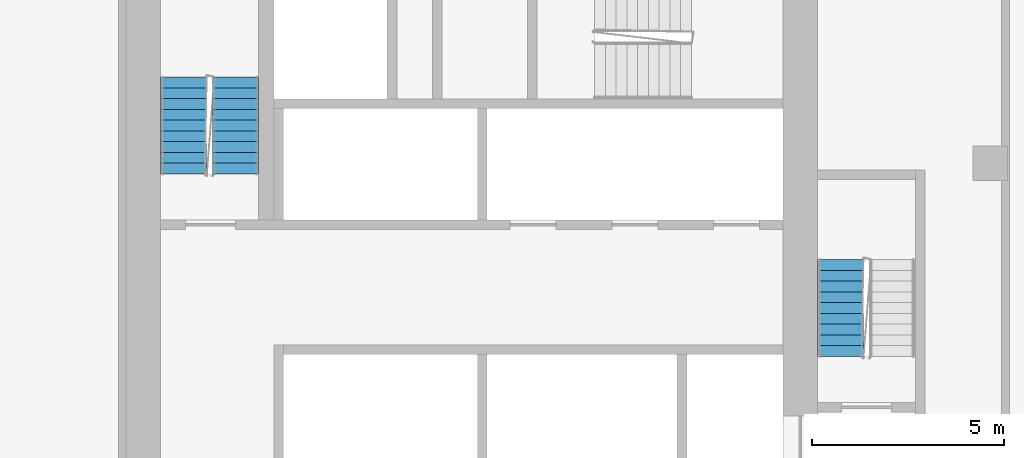
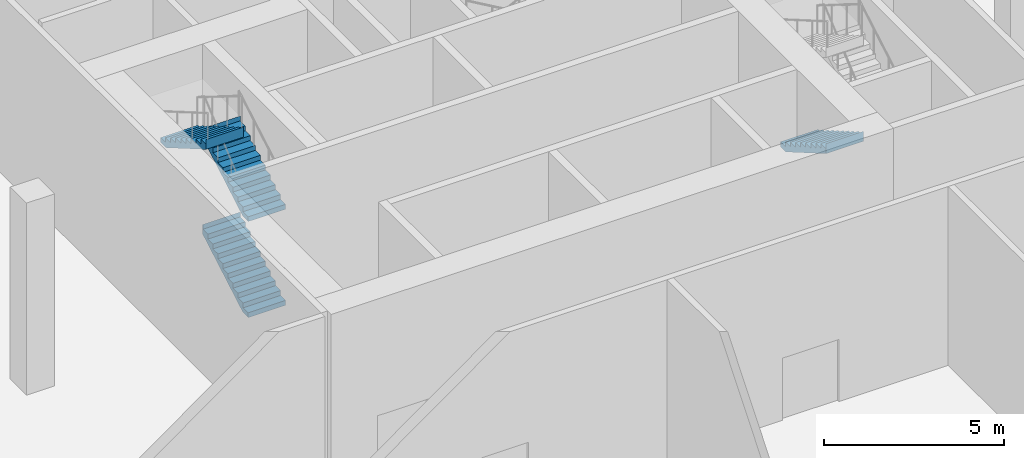
# One storey, part 18 of 24: 4 stair flights, 2 elements without a shape of their own.
"""IFC4 building model written with IfcOpenShell, lengths in metres."""

from ifc_helpers import new_model, si_unit, direction, frame, origin, place, context, subcontext, project, spatial, faceted_brep, material, type_object, element, aggregate, save


model = new_model("IFC4")

# Units and contexts
model_context = context("Model", 3, precision=1e-05, world=origin(), true_north=direction((0.0, 1.0)))
body_context = subcontext(model_context, "Body", "Model", "MODEL_VIEW")
ifc_project = project(units=[si_unit("LENGTHUNIT", "METRE"), si_unit("AREAUNIT", "SQUARE_METRE"), si_unit("VOLUMEUNIT", "CUBIC_METRE"), si_unit("PLANEANGLEUNIT", "RADIAN"), si_unit("MASSUNIT", "GRAM", prefix="KILO")], contexts=[model_context])

# Site, building, storey
site_placement = place(None, origin())
site = spatial("IfcSite", under=ifc_project, at=site_placement, CompositionType="ELEMENT")
building_placement = place(site_placement, origin())
building = spatial("IfcBuilding", under=site, at=building_placement, Name="Kajstack Hotel Tower", CompositionType="ELEMENT")
storey_placement = place(building_placement, frame((0.0, 0.0, 17.0)))
storey = spatial("IfcBuildingStorey", under=building, at=storey_placement, Name="L02", CompositionType="ELEMENT", Elevation=17.0)

# Stair, stair flight
ifc_material = material(Name="Concrete C40/50", Category="concrete")
stair_type = type_object("IfcStairType", Name="Exit stair 1200", PredefinedType="HALF_TURN_STAIR", material=ifc_material)
stair_1_placement = place(storey_placement, origin())
stair_1 = element("IfcStair", 1, at=stair_1_placement, inside=storey, type_object=stair_type, Name="L02 stair E1", PredefinedType="HALF_TURN_STAIR")
stair_flight_type = type_object("IfcStairFlightType", Name="Exit stair flight 1200", PredefinedType="STRAIGHT", material=ifc_material)
stair_flight_1_placement = place(storey_placement, frame((32.10009765625, 7.77001953125, 1.625), z_axis=(0.0, 0.0, 1.0), x_axis=(0.0, -1.0, 0.0)))
stair_flight_1 = element("IfcStairFlight", 2, at=stair_flight_1_placement, type_object=stair_flight_type, Name="E1 flight 2", NumberOfRisers=10, NumberOfTreads=9, PredefinedType="STRAIGHT", RiserHeight=0.1625, TreadLength=0.28, context=body_context, shape_type="Brep", body=[
    faceted_brep([(0.299072265625, -0.60009765625, 0.0), (2.5205078125, -0.60009765625, 1.2890625), (2.5205078125, -0.60009765625, 1.625), (2.52001953125, -0.60009765625, 1.625), (2.52001953125, -0.60009765625, 1.46240234375), (2.239990234375, -0.60009765625, 1.46240234375), (2.239990234375, -0.60009765625, 1.300048828125), (1.9599609375, -0.60009765625, 1.300048828125), (1.9599609375, -0.60009765625, 1.137451171875), (1.679931640625, -0.60009765625, 1.137451171875), (1.679931640625, -0.60009765625, 0.97509765625), (1.39990234375, -0.60009765625, 0.97509765625), (1.39990234375, -0.60009765625, 0.8125), (1.1201171875, -0.60009765625, 0.8125), (1.1201171875, -0.60009765625, 0.64990234375), (0.840087890625, -0.60009765625, 0.64990234375), (0.840087890625, -0.60009765625, 0.487548828125), (0.56005859375, -0.60009765625, 0.487548828125), (0.56005859375, -0.60009765625, 0.324951171875), (0.280029296875, -0.60009765625, 0.324951171875), (0.280029296875, -0.60009765625, 0.16259765625), (-0.00048828125, -0.60009765625, 0.16259765625), (-0.00048828125, -0.60009765625, 0.0), (-0.00048828125, 0.60009765625, 0.0), (-0.00048828125, 0.60009765625, 0.16259765625), (0.280029296875, 0.60009765625, 0.16259765625), (0.280029296875, 0.60009765625, 0.324951171875), (0.56005859375, 0.60009765625, 0.324951171875), (0.56005859375, 0.60009765625, 0.487548828125), (0.840087890625, 0.60009765625, 0.487548828125), (0.840087890625, 0.60009765625, 0.64990234375), (1.1201171875, 0.60009765625, 0.64990234375), (1.1201171875, 0.60009765625, 0.8125), (1.39990234375, 0.60009765625, 0.8125), (1.39990234375, 0.60009765625, 0.97509765625), (1.679931640625, 0.60009765625, 0.97509765625), (1.679931640625, 0.60009765625, 1.137451171875), (1.9599609375, 0.60009765625, 1.137451171875), (1.9599609375, 0.60009765625, 1.300048828125), (2.239990234375, 0.60009765625, 1.300048828125), (2.239990234375, 0.60009765625, 1.46240234375), (2.52001953125, 0.60009765625, 1.46240234375), (2.52001953125, 0.60009765625, 1.625), (2.5205078125, 0.60009765625, 1.625), (2.5205078125, 0.60009765625, 1.2890625), (0.299072265625, 0.60009765625, 0.0), (-0.00048828125, -0.300048828125, 0.16259765625), (-0.00048828125, 0.0, 0.16259765625), (-0.00048828125, 0.300048828125, 0.16259765625), (-0.00048828125, 0.300048828125, 0.0), (-0.00048828125, 0.0, 0.0), (-0.00048828125, -0.300048828125, 0.0), (0.280029296875, -0.300048828125, 0.16259765625), (0.280029296875, 0.0, 0.16259765625), (0.280029296875, 0.300048828125, 0.16259765625), (0.280029296875, -0.300048828125, 0.324951171875), (0.280029296875, 0.0, 0.324951171875), (0.280029296875, 0.300048828125, 0.324951171875), (0.56005859375, -0.300048828125, 0.324951171875), (0.56005859375, 0.0, 0.324951171875), (0.56005859375, 0.300048828125, 0.324951171875), (0.56005859375, -0.300048828125, 0.487548828125), (0.56005859375, 0.0, 0.487548828125), (0.56005859375, 0.300048828125, 0.487548828125), (0.840087890625, -0.300048828125, 0.487548828125), (0.840087890625, 0.0, 0.487548828125), (0.840087890625, 0.300048828125, 0.487548828125), (0.840087890625, -0.300048828125, 0.64990234375), (0.840087890625, 0.0, 0.64990234375), (0.840087890625, 0.300048828125, 0.64990234375), (1.1201171875, -0.300048828125, 0.64990234375), (1.1201171875, 0.0, 0.64990234375), (1.1201171875, 0.300048828125, 0.64990234375), (1.1201171875, -0.300048828125, 0.8125), (1.1201171875, 0.0, 0.8125), (1.1201171875, 0.300048828125, 0.8125), (1.39990234375, -0.300048828125, 0.8125), (1.39990234375, 0.0, 0.8125), (1.39990234375, 0.300048828125, 0.8125), (1.39990234375, -0.300048828125, 0.97509765625), (1.39990234375, 0.0, 0.97509765625), (1.39990234375, 0.300048828125, 0.97509765625), (1.679931640625, -0.300048828125, 0.97509765625), (1.679931640625, 0.0, 0.97509765625), (1.679931640625, 0.300048828125, 0.97509765625), (1.679931640625, -0.300048828125, 1.137451171875), (1.679931640625, 0.0, 1.137451171875), (1.679931640625, 0.300048828125, 1.137451171875), (1.9599609375, -0.300048828125, 1.137451171875), (1.9599609375, 0.0, 1.137451171875), (1.9599609375, 0.300048828125, 1.137451171875), (1.9599609375, -0.300048828125, 1.300048828125), (1.9599609375, 0.0, 1.300048828125), (1.9599609375, 0.300048828125, 1.300048828125), (2.239990234375, -0.300048828125, 1.300048828125), (2.239990234375, 0.0, 1.300048828125), (2.239990234375, 0.300048828125, 1.300048828125), (2.239990234375, -0.300048828125, 1.46240234375), (2.239990234375, 0.0, 1.46240234375), (2.239990234375, 0.300048828125, 1.46240234375), (2.52001953125, -0.300048828125, 1.46240234375), (2.52001953125, 0.0, 1.46240234375), (2.52001953125, 0.300048828125, 1.46240234375), (2.52001953125, -0.300048828125, 1.625), (2.52001953125, 0.0, 1.625), (2.52001953125, 0.300048828125, 1.625), (2.5205078125, -0.300048828125, 1.625), (2.5205078125, 0.0, 1.625), (2.5205078125, 0.300048828125, 1.625), (2.5205078125, -0.300048828125, 1.2890625), (2.5205078125, 0.0, 1.2890625), (2.5205078125, 0.300048828125, 1.2890625), (0.299072265625, -0.300048828125, 0.0), (0.299072265625, 0.0, 0.0), (0.299072265625, 0.300048828125, 0.0)], [[[0, 1, 2, 3, 4, 5, 6, 7, 8, 9, 10, 11, 12, 13, 14, 15, 16, 17, 18, 19, 20, 21, 22]], [[23, 24, 25, 26, 27, 28, 29, 30, 31, 32, 33, 34, 35, 36, 37, 38, 39, 40, 41, 42, 43, 44, 45]], [[21, 46, 47, 48, 24, 23, 49, 50, 51, 22]], [[20, 52, 53, 54, 25, 24, 48, 47, 46, 21]], [[19, 55, 56, 57, 26, 25, 54, 53, 52, 20]], [[18, 58, 59, 60, 27, 26, 57, 56, 55, 19]], [[17, 61, 62, 63, 28, 27, 60, 59, 58, 18]], [[16, 64, 65, 66, 29, 28, 63, 62, 61, 17]], [[15, 67, 68, 69, 30, 29, 66, 65, 64, 16]], [[14, 70, 71, 72, 31, 30, 69, 68, 67, 15]], [[13, 73, 74, 75, 32, 31, 72, 71, 70, 14]], [[12, 76, 77, 78, 33, 32, 75, 74, 73, 13]], [[11, 79, 80, 81, 34, 33, 78, 77, 76, 12]], [[10, 82, 83, 84, 35, 34, 81, 80, 79, 11]], [[9, 85, 86, 87, 36, 35, 84, 83, 82, 10]], [[8, 88, 89, 90, 37, 36, 87, 86, 85, 9]], [[7, 91, 92, 93, 38, 37, 90, 89, 88, 8]], [[6, 94, 95, 96, 39, 38, 93, 92, 91, 7]], [[5, 97, 98, 99, 40, 39, 96, 95, 94, 6]], [[4, 100, 101, 102, 41, 40, 99, 98, 97, 5]], [[3, 103, 104, 105, 42, 41, 102, 101, 100, 4]], [[2, 106, 107, 108, 43, 42, 105, 104, 103, 3]], [[1, 109, 110, 111, 44, 43, 108, 107, 106, 2]], [[0, 112, 113, 114, 45, 44, 111, 110, 109, 1]], [[22, 51, 50, 49, 23, 45, 114, 113, 112, 0]]]),
])
aggregate(stair_1, [stair_flight_1])

# Stair, stair flights
stair_2_placement = place(storey_placement, origin())
stair_2 = element("IfcStair", 3, at=stair_2_placement, inside=storey, type_object=stair_type, Name="L02 stair E2", PredefinedType="HALF_TURN_STAIR")
stair_flight_2_placement = place(storey_placement, frame((16.35009765625, 10.0, 0.0), z_axis=(0.0, 0.0, 1.0), x_axis=(0.0, 1.0, 0.0)))
stair_flight_2 = element("IfcStairFlight", 4, at=stair_flight_2_placement, type_object=stair_flight_type, Name="E2 flight 1", NumberOfRisers=10, NumberOfTreads=9, PredefinedType="STRAIGHT", RiserHeight=0.1625, TreadLength=0.28, context=body_context, shape_type="Brep", body=[
    faceted_brep([(0.299072265625, -0.60009765625, 0.0), (2.5205078125, -0.60009765625, 1.2890625), (2.5205078125, -0.60009765625, 1.625), (2.52001953125, -0.60009765625, 1.625), (2.52001953125, -0.60009765625, 1.46240234375), (2.239990234375, -0.60009765625, 1.46240234375), (2.239990234375, -0.60009765625, 1.300048828125), (1.9599609375, -0.60009765625, 1.300048828125), (1.9599609375, -0.60009765625, 1.137451171875), (1.679931640625, -0.60009765625, 1.137451171875), (1.679931640625, -0.60009765625, 0.97509765625), (1.39990234375, -0.60009765625, 0.97509765625), (1.39990234375, -0.60009765625, 0.8125), (1.1201171875, -0.60009765625, 0.8125), (1.1201171875, -0.60009765625, 0.64990234375), (0.840087890625, -0.60009765625, 0.64990234375), (0.840087890625, -0.60009765625, 0.487548828125), (0.56005859375, -0.60009765625, 0.487548828125), (0.56005859375, -0.60009765625, 0.324951171875), (0.280029296875, -0.60009765625, 0.324951171875), (0.280029296875, -0.60009765625, 0.16259765625), (-0.00048828125, -0.60009765625, 0.16259765625), (-0.00048828125, -0.60009765625, 0.0), (-0.00048828125, 0.60009765625, 0.0), (-0.00048828125, 0.60009765625, 0.16259765625), (0.280029296875, 0.60009765625, 0.16259765625), (0.280029296875, 0.60009765625, 0.324951171875), (0.56005859375, 0.60009765625, 0.324951171875), (0.56005859375, 0.60009765625, 0.487548828125), (0.840087890625, 0.60009765625, 0.487548828125), (0.840087890625, 0.60009765625, 0.64990234375), (1.1201171875, 0.60009765625, 0.64990234375), (1.1201171875, 0.60009765625, 0.8125), (1.39990234375, 0.60009765625, 0.8125), (1.39990234375, 0.60009765625, 0.97509765625), (1.679931640625, 0.60009765625, 0.97509765625), (1.679931640625, 0.60009765625, 1.137451171875), (1.9599609375, 0.60009765625, 1.137451171875), (1.9599609375, 0.60009765625, 1.300048828125), (2.239990234375, 0.60009765625, 1.300048828125), (2.239990234375, 0.60009765625, 1.46240234375), (2.52001953125, 0.60009765625, 1.46240234375), (2.52001953125, 0.60009765625, 1.625), (2.5205078125, 0.60009765625, 1.625), (2.5205078125, 0.60009765625, 1.2890625), (0.299072265625, 0.60009765625, 0.0), (-0.00048828125, -0.300048828125, 0.16259765625), (-0.00048828125, 0.0, 0.16259765625), (-0.00048828125, 0.300048828125, 0.16259765625), (-0.00048828125, 0.300048828125, 0.0), (-0.00048828125, 0.0, 0.0), (-0.00048828125, -0.300048828125, 0.0), (0.280029296875, -0.300048828125, 0.16259765625), (0.280029296875, 0.0, 0.16259765625), (0.280029296875, 0.300048828125, 0.16259765625), (0.280029296875, -0.300048828125, 0.324951171875), (0.280029296875, 0.0, 0.324951171875), (0.280029296875, 0.300048828125, 0.324951171875), (0.56005859375, -0.300048828125, 0.324951171875), (0.56005859375, 0.0, 0.324951171875), (0.56005859375, 0.300048828125, 0.324951171875), (0.56005859375, -0.300048828125, 0.487548828125), (0.56005859375, 0.0, 0.487548828125), (0.56005859375, 0.300048828125, 0.487548828125), (0.840087890625, -0.300048828125, 0.487548828125), (0.840087890625, 0.0, 0.487548828125), (0.840087890625, 0.300048828125, 0.487548828125), (0.840087890625, -0.300048828125, 0.64990234375), (0.840087890625, 0.0, 0.64990234375), (0.840087890625, 0.300048828125, 0.64990234375), (1.1201171875, -0.300048828125, 0.64990234375), (1.1201171875, 0.0, 0.64990234375), (1.1201171875, 0.300048828125, 0.64990234375), (1.1201171875, -0.300048828125, 0.8125), (1.1201171875, 0.0, 0.8125), (1.1201171875, 0.300048828125, 0.8125), (1.39990234375, -0.300048828125, 0.8125), (1.39990234375, 0.0, 0.8125), (1.39990234375, 0.300048828125, 0.8125), (1.39990234375, -0.300048828125, 0.97509765625), (1.39990234375, 0.0, 0.97509765625), (1.39990234375, 0.300048828125, 0.97509765625), (1.679931640625, -0.300048828125, 0.97509765625), (1.679931640625, 0.0, 0.97509765625), (1.679931640625, 0.300048828125, 0.97509765625), (1.679931640625, -0.300048828125, 1.137451171875), (1.679931640625, 0.0, 1.137451171875), (1.679931640625, 0.300048828125, 1.137451171875), (1.9599609375, -0.300048828125, 1.137451171875), (1.9599609375, 0.0, 1.137451171875), (1.9599609375, 0.300048828125, 1.137451171875), (1.9599609375, -0.300048828125, 1.300048828125), (1.9599609375, 0.0, 1.300048828125), (1.9599609375, 0.300048828125, 1.300048828125), (2.239990234375, -0.300048828125, 1.300048828125), (2.239990234375, 0.0, 1.300048828125), (2.239990234375, 0.300048828125, 1.300048828125), (2.239990234375, -0.300048828125, 1.46240234375), (2.239990234375, 0.0, 1.46240234375), (2.239990234375, 0.300048828125, 1.46240234375), (2.52001953125, -0.300048828125, 1.46240234375), (2.52001953125, 0.0, 1.46240234375), (2.52001953125, 0.300048828125, 1.46240234375), (2.52001953125, -0.300048828125, 1.625), (2.52001953125, 0.0, 1.625), (2.52001953125, 0.300048828125, 1.625), (2.5205078125, -0.300048828125, 1.625), (2.5205078125, 0.0, 1.625), (2.5205078125, 0.300048828125, 1.625), (2.5205078125, -0.300048828125, 1.2890625), (2.5205078125, 0.0, 1.2890625), (2.5205078125, 0.300048828125, 1.2890625), (0.299072265625, -0.300048828125, 0.0), (0.299072265625, 0.0, 0.0), (0.299072265625, 0.300048828125, 0.0)], [[[0, 1, 2, 3, 4, 5, 6, 7, 8, 9, 10, 11, 12, 13, 14, 15, 16, 17, 18, 19, 20, 21, 22]], [[23, 24, 25, 26, 27, 28, 29, 30, 31, 32, 33, 34, 35, 36, 37, 38, 39, 40, 41, 42, 43, 44, 45]], [[21, 46, 47, 48, 24, 23, 49, 50, 51, 22]], [[20, 52, 53, 54, 25, 24, 48, 47, 46, 21]], [[19, 55, 56, 57, 26, 25, 54, 53, 52, 20]], [[18, 58, 59, 60, 27, 26, 57, 56, 55, 19]], [[17, 61, 62, 63, 28, 27, 60, 59, 58, 18]], [[16, 64, 65, 66, 29, 28, 63, 62, 61, 17]], [[15, 67, 68, 69, 30, 29, 66, 65, 64, 16]], [[14, 70, 71, 72, 31, 30, 69, 68, 67, 15]], [[13, 73, 74, 75, 32, 31, 72, 71, 70, 14]], [[12, 76, 77, 78, 33, 32, 75, 74, 73, 13]], [[11, 79, 80, 81, 34, 33, 78, 77, 76, 12]], [[10, 82, 83, 84, 35, 34, 81, 80, 79, 11]], [[9, 85, 86, 87, 36, 35, 84, 83, 82, 10]], [[8, 88, 89, 90, 37, 36, 87, 86, 85, 9]], [[7, 91, 92, 93, 38, 37, 90, 89, 88, 8]], [[6, 94, 95, 96, 39, 38, 93, 92, 91, 7]], [[5, 97, 98, 99, 40, 39, 96, 95, 94, 6]], [[4, 100, 101, 102, 41, 40, 99, 98, 97, 5]], [[3, 103, 104, 105, 42, 41, 102, 101, 100, 4]], [[2, 106, 107, 108, 43, 42, 105, 104, 103, 3]], [[1, 109, 110, 111, 44, 43, 108, 107, 106, 2]], [[0, 112, 113, 114, 45, 44, 111, 110, 109, 1]], [[22, 51, 50, 49, 23, 45, 114, 113, 112, 0]]]),
])
stair_flight_3_placement = place(storey_placement, frame((16.35009765625, 10.0, 3.25), z_axis=(0.0, 0.0, 1.0), x_axis=(0.0, 1.0, 0.0)))
stair_flight_3 = element("IfcStairFlight", 5, at=stair_flight_3_placement, type_object=stair_flight_type, Name="E2 flight 3", NumberOfRisers=10, NumberOfTreads=9, PredefinedType="STRAIGHT", RiserHeight=0.1625, TreadLength=0.28, context=body_context, shape_type="Brep", body=[
    faceted_brep([(0.299072265625, -0.60009765625, 0.0), (2.5205078125, -0.60009765625, 1.2890625), (2.5205078125, -0.60009765625, 1.625), (2.52001953125, -0.60009765625, 1.625), (2.52001953125, -0.60009765625, 1.46240234375), (2.239990234375, -0.60009765625, 1.46240234375), (2.239990234375, -0.60009765625, 1.300048828125), (1.9599609375, -0.60009765625, 1.300048828125), (1.9599609375, -0.60009765625, 1.137451171875), (1.679931640625, -0.60009765625, 1.137451171875), (1.679931640625, -0.60009765625, 0.97509765625), (1.39990234375, -0.60009765625, 0.97509765625), (1.39990234375, -0.60009765625, 0.8125), (1.1201171875, -0.60009765625, 0.8125), (1.1201171875, -0.60009765625, 0.64990234375), (0.840087890625, -0.60009765625, 0.64990234375), (0.840087890625, -0.60009765625, 0.487548828125), (0.56005859375, -0.60009765625, 0.487548828125), (0.56005859375, -0.60009765625, 0.324951171875), (0.280029296875, -0.60009765625, 0.324951171875), (0.280029296875, -0.60009765625, 0.16259765625), (-0.00048828125, -0.60009765625, 0.16259765625), (-0.00048828125, -0.60009765625, 0.0), (-0.00048828125, 0.60009765625, 0.0), (-0.00048828125, 0.60009765625, 0.16259765625), (0.280029296875, 0.60009765625, 0.16259765625), (0.280029296875, 0.60009765625, 0.324951171875), (0.56005859375, 0.60009765625, 0.324951171875), (0.56005859375, 0.60009765625, 0.487548828125), (0.840087890625, 0.60009765625, 0.487548828125), (0.840087890625, 0.60009765625, 0.64990234375), (1.1201171875, 0.60009765625, 0.64990234375), (1.1201171875, 0.60009765625, 0.8125), (1.39990234375, 0.60009765625, 0.8125), (1.39990234375, 0.60009765625, 0.97509765625), (1.679931640625, 0.60009765625, 0.97509765625), (1.679931640625, 0.60009765625, 1.137451171875), (1.9599609375, 0.60009765625, 1.137451171875), (1.9599609375, 0.60009765625, 1.300048828125), (2.239990234375, 0.60009765625, 1.300048828125), (2.239990234375, 0.60009765625, 1.46240234375), (2.52001953125, 0.60009765625, 1.46240234375), (2.52001953125, 0.60009765625, 1.625), (2.5205078125, 0.60009765625, 1.625), (2.5205078125, 0.60009765625, 1.2890625), (0.299072265625, 0.60009765625, 0.0), (-0.00048828125, -0.300048828125, 0.16259765625), (-0.00048828125, 0.0, 0.16259765625), (-0.00048828125, 0.300048828125, 0.16259765625), (-0.00048828125, 0.300048828125, 0.0), (-0.00048828125, 0.0, 0.0), (-0.00048828125, -0.300048828125, 0.0), (0.280029296875, -0.300048828125, 0.16259765625), (0.280029296875, 0.0, 0.16259765625), (0.280029296875, 0.300048828125, 0.16259765625), (0.280029296875, -0.300048828125, 0.324951171875), (0.280029296875, 0.0, 0.324951171875), (0.280029296875, 0.300048828125, 0.324951171875), (0.56005859375, -0.300048828125, 0.324951171875), (0.56005859375, 0.0, 0.324951171875), (0.56005859375, 0.300048828125, 0.324951171875), (0.56005859375, -0.300048828125, 0.487548828125), (0.56005859375, 0.0, 0.487548828125), (0.56005859375, 0.300048828125, 0.487548828125), (0.840087890625, -0.300048828125, 0.487548828125), (0.840087890625, 0.0, 0.487548828125), (0.840087890625, 0.300048828125, 0.487548828125), (0.840087890625, -0.300048828125, 0.64990234375), (0.840087890625, 0.0, 0.64990234375), (0.840087890625, 0.300048828125, 0.64990234375), (1.1201171875, -0.300048828125, 0.64990234375), (1.1201171875, 0.0, 0.64990234375), (1.1201171875, 0.300048828125, 0.64990234375), (1.1201171875, -0.300048828125, 0.8125), (1.1201171875, 0.0, 0.8125), (1.1201171875, 0.300048828125, 0.8125), (1.39990234375, -0.300048828125, 0.8125), (1.39990234375, 0.0, 0.8125), (1.39990234375, 0.300048828125, 0.8125), (1.39990234375, -0.300048828125, 0.97509765625), (1.39990234375, 0.0, 0.97509765625), (1.39990234375, 0.300048828125, 0.97509765625), (1.679931640625, -0.300048828125, 0.97509765625), (1.679931640625, 0.0, 0.97509765625), (1.679931640625, 0.300048828125, 0.97509765625), (1.679931640625, -0.300048828125, 1.137451171875), (1.679931640625, 0.0, 1.137451171875), (1.679931640625, 0.300048828125, 1.137451171875), (1.9599609375, -0.300048828125, 1.137451171875), (1.9599609375, 0.0, 1.137451171875), (1.9599609375, 0.300048828125, 1.137451171875), (1.9599609375, -0.300048828125, 1.300048828125), (1.9599609375, 0.0, 1.300048828125), (1.9599609375, 0.300048828125, 1.300048828125), (2.239990234375, -0.300048828125, 1.300048828125), (2.239990234375, 0.0, 1.300048828125), (2.239990234375, 0.300048828125, 1.300048828125), (2.239990234375, -0.300048828125, 1.46240234375), (2.239990234375, 0.0, 1.46240234375), (2.239990234375, 0.300048828125, 1.46240234375), (2.52001953125, -0.300048828125, 1.46240234375), (2.52001953125, 0.0, 1.46240234375), (2.52001953125, 0.300048828125, 1.46240234375), (2.52001953125, -0.300048828125, 1.625), (2.52001953125, 0.0, 1.625), (2.52001953125, 0.300048828125, 1.625), (2.5205078125, -0.300048828125, 1.625), (2.5205078125, 0.0, 1.625), (2.5205078125, 0.300048828125, 1.625), (2.5205078125, -0.300048828125, 1.2890625), (2.5205078125, 0.0, 1.2890625), (2.5205078125, 0.300048828125, 1.2890625), (0.299072265625, -0.300048828125, 0.0), (0.299072265625, 0.0, 0.0), (0.299072265625, 0.300048828125, 0.0)], [[[0, 1, 2, 3, 4, 5, 6, 7, 8, 9, 10, 11, 12, 13, 14, 15, 16, 17, 18, 19, 20, 21, 22]], [[23, 24, 25, 26, 27, 28, 29, 30, 31, 32, 33, 34, 35, 36, 37, 38, 39, 40, 41, 42, 43, 44, 45]], [[21, 46, 47, 48, 24, 23, 49, 50, 51, 22]], [[20, 52, 53, 54, 25, 24, 48, 47, 46, 21]], [[19, 55, 56, 57, 26, 25, 54, 53, 52, 20]], [[18, 58, 59, 60, 27, 26, 57, 56, 55, 19]], [[17, 61, 62, 63, 28, 27, 60, 59, 58, 18]], [[16, 64, 65, 66, 29, 28, 63, 62, 61, 17]], [[15, 67, 68, 69, 30, 29, 66, 65, 64, 16]], [[14, 70, 71, 72, 31, 30, 69, 68, 67, 15]], [[13, 73, 74, 75, 32, 31, 72, 71, 70, 14]], [[12, 76, 77, 78, 33, 32, 75, 74, 73, 13]], [[11, 79, 80, 81, 34, 33, 78, 77, 76, 12]], [[10, 82, 83, 84, 35, 34, 81, 80, 79, 11]], [[9, 85, 86, 87, 36, 35, 84, 83, 82, 10]], [[8, 88, 89, 90, 37, 36, 87, 86, 85, 9]], [[7, 91, 92, 93, 38, 37, 90, 89, 88, 8]], [[6, 94, 95, 96, 39, 38, 93, 92, 91, 7]], [[5, 97, 98, 99, 40, 39, 96, 95, 94, 6]], [[4, 100, 101, 102, 41, 40, 99, 98, 97, 5]], [[3, 103, 104, 105, 42, 41, 102, 101, 100, 4]], [[2, 106, 107, 108, 43, 42, 105, 104, 103, 3]], [[1, 109, 110, 111, 44, 43, 108, 107, 106, 2]], [[0, 112, 113, 114, 45, 44, 111, 110, 109, 1]], [[22, 51, 50, 49, 23, 45, 114, 113, 112, 0]]]),
])
stair_flight_4_placement = place(storey_placement, frame((15.0, 12.52001953125, 4.875), z_axis=(0.0, 0.0, 1.0), x_axis=(0.0, -1.0, 0.0)))
stair_flight_4 = element("IfcStairFlight", 6, at=stair_flight_4_placement, type_object=stair_flight_type, Name="E2 flight 4", NumberOfRisers=10, NumberOfTreads=9, PredefinedType="STRAIGHT", RiserHeight=0.1625, TreadLength=0.28, context=body_context, shape_type="Brep", body=[
    faceted_brep([(0.299072265625, -0.60009765625, 0.0), (2.5205078125, -0.60009765625, 1.2890625), (2.5205078125, -0.60009765625, 1.625), (2.52001953125, -0.60009765625, 1.625), (2.52001953125, -0.60009765625, 1.46240234375), (2.239990234375, -0.60009765625, 1.46240234375), (2.239990234375, -0.60009765625, 1.300048828125), (1.9599609375, -0.60009765625, 1.300048828125), (1.9599609375, -0.60009765625, 1.137451171875), (1.679931640625, -0.60009765625, 1.137451171875), (1.679931640625, -0.60009765625, 0.97509765625), (1.39990234375, -0.60009765625, 0.97509765625), (1.39990234375, -0.60009765625, 0.8125), (1.1201171875, -0.60009765625, 0.8125), (1.1201171875, -0.60009765625, 0.64990234375), (0.840087890625, -0.60009765625, 0.64990234375), (0.840087890625, -0.60009765625, 0.487548828125), (0.56005859375, -0.60009765625, 0.487548828125), (0.56005859375, -0.60009765625, 0.324951171875), (0.280029296875, -0.60009765625, 0.324951171875), (0.280029296875, -0.60009765625, 0.16259765625), (-0.00048828125, -0.60009765625, 0.16259765625), (-0.00048828125, -0.60009765625, 0.0), (-0.00048828125, 0.60009765625, 0.0), (-0.00048828125, 0.60009765625, 0.16259765625), (0.280029296875, 0.60009765625, 0.16259765625), (0.280029296875, 0.60009765625, 0.324951171875), (0.56005859375, 0.60009765625, 0.324951171875), (0.56005859375, 0.60009765625, 0.487548828125), (0.840087890625, 0.60009765625, 0.487548828125), (0.840087890625, 0.60009765625, 0.64990234375), (1.1201171875, 0.60009765625, 0.64990234375), (1.1201171875, 0.60009765625, 0.8125), (1.39990234375, 0.60009765625, 0.8125), (1.39990234375, 0.60009765625, 0.97509765625), (1.679931640625, 0.60009765625, 0.97509765625), (1.679931640625, 0.60009765625, 1.137451171875), (1.9599609375, 0.60009765625, 1.137451171875), (1.9599609375, 0.60009765625, 1.300048828125), (2.239990234375, 0.60009765625, 1.300048828125), (2.239990234375, 0.60009765625, 1.46240234375), (2.52001953125, 0.60009765625, 1.46240234375), (2.52001953125, 0.60009765625, 1.625), (2.5205078125, 0.60009765625, 1.625), (2.5205078125, 0.60009765625, 1.2890625), (0.299072265625, 0.60009765625, 0.0), (-0.00048828125, -0.300048828125, 0.16259765625), (-0.00048828125, 0.0, 0.16259765625), (-0.00048828125, 0.300048828125, 0.16259765625), (-0.00048828125, 0.300048828125, 0.0), (-0.00048828125, 0.0, 0.0), (-0.00048828125, -0.300048828125, 0.0), (0.280029296875, -0.300048828125, 0.16259765625), (0.280029296875, 0.0, 0.16259765625), (0.280029296875, 0.300048828125, 0.16259765625), (0.280029296875, -0.300048828125, 0.324951171875), (0.280029296875, 0.0, 0.324951171875), (0.280029296875, 0.300048828125, 0.324951171875), (0.56005859375, -0.300048828125, 0.324951171875), (0.56005859375, 0.0, 0.324951171875), (0.56005859375, 0.300048828125, 0.324951171875), (0.56005859375, -0.300048828125, 0.487548828125), (0.56005859375, 0.0, 0.487548828125), (0.56005859375, 0.300048828125, 0.487548828125), (0.840087890625, -0.300048828125, 0.487548828125), (0.840087890625, 0.0, 0.487548828125), (0.840087890625, 0.300048828125, 0.487548828125), (0.840087890625, -0.300048828125, 0.64990234375), (0.840087890625, 0.0, 0.64990234375), (0.840087890625, 0.300048828125, 0.64990234375), (1.1201171875, -0.300048828125, 0.64990234375), (1.1201171875, 0.0, 0.64990234375), (1.1201171875, 0.300048828125, 0.64990234375), (1.1201171875, -0.300048828125, 0.8125), (1.1201171875, 0.0, 0.8125), (1.1201171875, 0.300048828125, 0.8125), (1.39990234375, -0.300048828125, 0.8125), (1.39990234375, 0.0, 0.8125), (1.39990234375, 0.300048828125, 0.8125), (1.39990234375, -0.300048828125, 0.97509765625), (1.39990234375, 0.0, 0.97509765625), (1.39990234375, 0.300048828125, 0.97509765625), (1.679931640625, -0.300048828125, 0.97509765625), (1.679931640625, 0.0, 0.97509765625), (1.679931640625, 0.300048828125, 0.97509765625), (1.679931640625, -0.300048828125, 1.137451171875), (1.679931640625, 0.0, 1.137451171875), (1.679931640625, 0.300048828125, 1.137451171875), (1.9599609375, -0.300048828125, 1.137451171875), (1.9599609375, 0.0, 1.137451171875), (1.9599609375, 0.300048828125, 1.137451171875), (1.9599609375, -0.300048828125, 1.300048828125), (1.9599609375, 0.0, 1.300048828125), (1.9599609375, 0.300048828125, 1.300048828125), (2.239990234375, -0.300048828125, 1.300048828125), (2.239990234375, 0.0, 1.300048828125), (2.239990234375, 0.300048828125, 1.300048828125), (2.239990234375, -0.300048828125, 1.46240234375), (2.239990234375, 0.0, 1.46240234375), (2.239990234375, 0.300048828125, 1.46240234375), (2.52001953125, -0.300048828125, 1.46240234375), (2.52001953125, 0.0, 1.46240234375), (2.52001953125, 0.300048828125, 1.46240234375), (2.52001953125, -0.300048828125, 1.625), (2.52001953125, 0.0, 1.625), (2.52001953125, 0.300048828125, 1.625), (2.5205078125, -0.300048828125, 1.625), (2.5205078125, 0.0, 1.625), (2.5205078125, 0.300048828125, 1.625), (2.5205078125, -0.300048828125, 1.2890625), (2.5205078125, 0.0, 1.2890625), (2.5205078125, 0.300048828125, 1.2890625), (0.299072265625, -0.300048828125, 0.0), (0.299072265625, 0.0, 0.0), (0.299072265625, 0.300048828125, 0.0)], [[[0, 1, 2, 3, 4, 5, 6, 7, 8, 9, 10, 11, 12, 13, 14, 15, 16, 17, 18, 19, 20, 21, 22]], [[23, 24, 25, 26, 27, 28, 29, 30, 31, 32, 33, 34, 35, 36, 37, 38, 39, 40, 41, 42, 43, 44, 45]], [[21, 46, 47, 48, 24, 23, 49, 50, 51, 22]], [[20, 52, 53, 54, 25, 24, 48, 47, 46, 21]], [[19, 55, 56, 57, 26, 25, 54, 53, 52, 20]], [[18, 58, 59, 60, 27, 26, 57, 56, 55, 19]], [[17, 61, 62, 63, 28, 27, 60, 59, 58, 18]], [[16, 64, 65, 66, 29, 28, 63, 62, 61, 17]], [[15, 67, 68, 69, 30, 29, 66, 65, 64, 16]], [[14, 70, 71, 72, 31, 30, 69, 68, 67, 15]], [[13, 73, 74, 75, 32, 31, 72, 71, 70, 14]], [[12, 76, 77, 78, 33, 32, 75, 74, 73, 13]], [[11, 79, 80, 81, 34, 33, 78, 77, 76, 12]], [[10, 82, 83, 84, 35, 34, 81, 80, 79, 11]], [[9, 85, 86, 87, 36, 35, 84, 83, 82, 10]], [[8, 88, 89, 90, 37, 36, 87, 86, 85, 9]], [[7, 91, 92, 93, 38, 37, 90, 89, 88, 8]], [[6, 94, 95, 96, 39, 38, 93, 92, 91, 7]], [[5, 97, 98, 99, 40, 39, 96, 95, 94, 6]], [[4, 100, 101, 102, 41, 40, 99, 98, 97, 5]], [[3, 103, 104, 105, 42, 41, 102, 101, 100, 4]], [[2, 106, 107, 108, 43, 42, 105, 104, 103, 3]], [[1, 109, 110, 111, 44, 43, 108, 107, 106, 2]], [[0, 112, 113, 114, 45, 44, 111, 110, 109, 1]], [[22, 51, 50, 49, 23, 45, 114, 113, 112, 0]]]),
])
aggregate(stair_2, [stair_flight_2, stair_flight_3, stair_flight_4])

save(model, "model.ifc")
